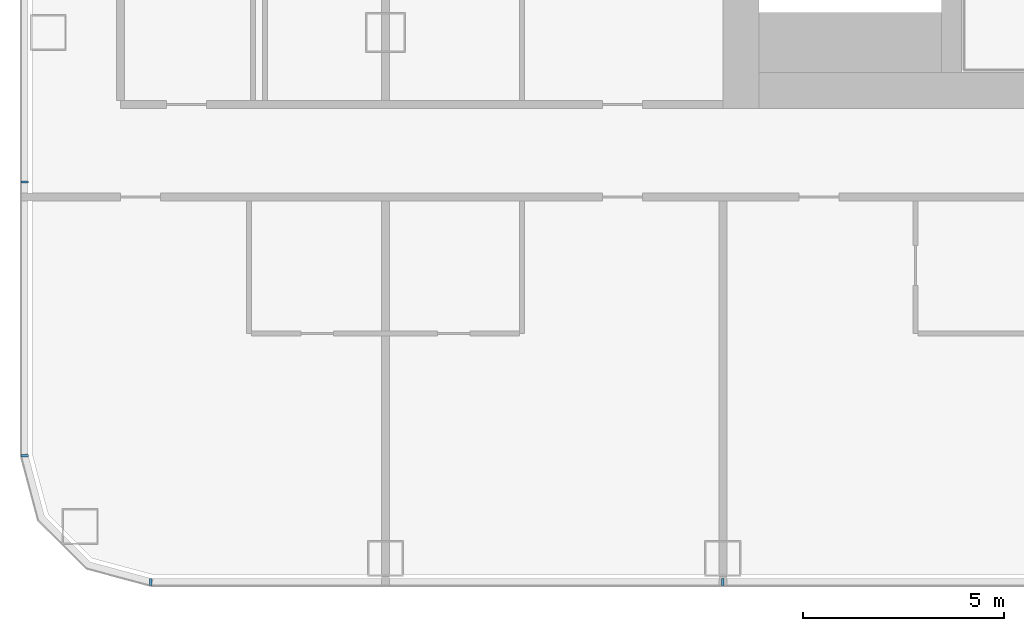
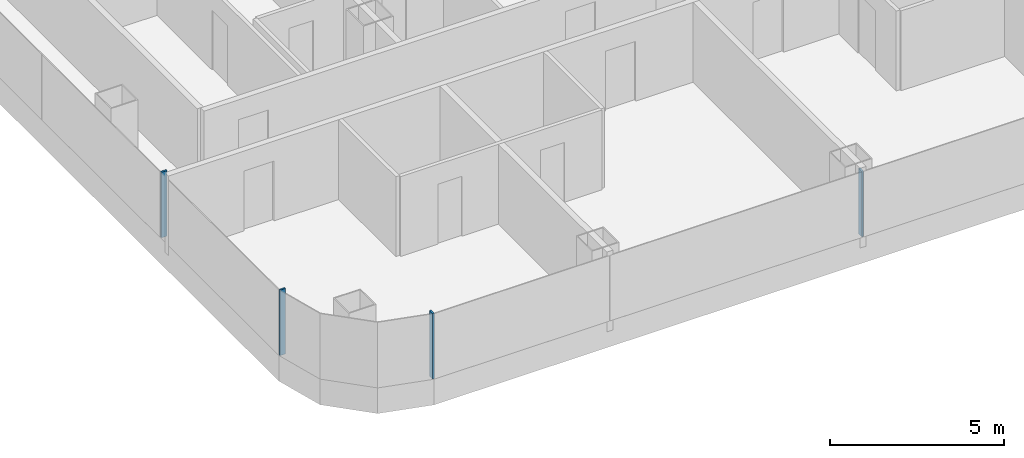
# One storey, part 2 of 28: 4 members, 2 elements without a shape of their own.
"""IFC4 building model written with IfcOpenShell, lengths in metres."""

from ifc_helpers import new_model, si_unit, direction, frame, origin, origin_2d, place, context, subcontext, project, spatial, rectangle, extrude, material, layer, layer_set, material_profile, profile_set, type_object, element, aggregate, save


model = new_model("IFC4")

# Units and contexts
model_context = context("Model", 3, precision=1e-05, world=origin(), true_north=direction((0.0, 1.0)))
body_context = subcontext(model_context, "Body", "Model", "MODEL_VIEW")
ifc_project = project(units=[si_unit("LENGTHUNIT", "METRE"), si_unit("AREAUNIT", "SQUARE_METRE"), si_unit("VOLUMEUNIT", "CUBIC_METRE"), si_unit("PLANEANGLEUNIT", "RADIAN"), si_unit("MASSUNIT", "GRAM", prefix="KILO")], contexts=[model_context])

# Site, building, storey
site_placement = place(None, origin())
site = spatial("IfcSite", under=ifc_project, at=site_placement, CompositionType="ELEMENT")
building_placement = place(site_placement, origin())
building = spatial("IfcBuilding", under=site, at=building_placement, Name="Hakoniwa Tower and Hamabe Station Hall", CompositionType="ELEMENT")
storey_placement = place(building_placement, frame((0.0, 0.0, 35.800048828125)))
storey = spatial("IfcBuildingStorey", under=building, at=storey_placement, Name="L09", CompositionType="ELEMENT", Elevation=35.800048828125)

# Curtain wall, members
ifc_material_1 = material(Name="Dark low-e laminated glass", Category="glass")
ifc_layer = layer(ifc_material_1, 0.199951171875)
ifc_layer_set = layer_set([ifc_layer], Name="CW-1 UNITISED GUEST")
curtain_wall_type = type_object("IfcCurtainWallType", Name="CW-1 UNITISED GUEST", PredefinedType="NOTDEFINED", material=ifc_layer_set)
curtain_wall_1_placement = place(storey_placement, origin())
curtain_wall_1 = element("IfcCurtainWall", 1, at=curtain_wall_1_placement, inside=storey, type_object=curtain_wall_type, Name="CW-1 curtain wall", PredefinedType="NOTDEFINED")
ifc_material_2 = material(Name="Aluminium 6063-T5 black anodised", Category="aluminium")
ifc_material_profile = material_profile(ifc_material_2, rectangle(XDim=0.06005859375, YDim=0.179931640625, at=origin_2d()), Name="CW-1 MULLION 60X180")
ifc_profile_set = profile_set([ifc_material_profile], Name="Aluminium 6063-T5 black anodised")
member_type = type_object("IfcMemberType", Name="CW-1 MULLION 60X180", PredefinedType="MULLION", material=ifc_profile_set)
member_1_placement = place(storey_placement, frame((-50.98193359375, -10.2236328125, 0.349853515625), z_axis=(0.0, 0.0, 1.0), x_axis=(0.0, -1.0, 0.0)))
member_1 = element("IfcMember", 2, at=member_1_placement, type_object=member_type, Name="CW-1 mullion", PredefinedType="MULLION", context=body_context, shape_type="SweptSolid", body=[
    extrude(rectangle(XDim=0.06005859375, YDim=0.179931640625, at=origin_2d()), origin(), (0.0, 0.0, 1.0), 2.300048828125),
])
member_2_placement = place(storey_placement, frame((-50.98193359375, -17.03955078125, 0.349853515625), z_axis=(0.0, 0.0, 1.0), x_axis=(0.0, -1.0, 0.0)))
member_2 = element("IfcMember", 3, at=member_2_placement, type_object=member_type, Name="CW-1 mullion", PredefinedType="MULLION", context=body_context, shape_type="SweptSolid", body=[
    extrude(rectangle(XDim=0.06005859375, YDim=0.179931640625, at=origin_2d()), origin(), (0.0, 0.0, 1.0), 2.300048828125),
])
aggregate(curtain_wall_1, [member_1, member_2])

curtain_wall_2_placement = place(storey_placement, origin())
curtain_wall_2 = element("IfcCurtainWall", 4, at=curtain_wall_2_placement, inside=storey, type_object=curtain_wall_type, Name="CW-1 curtain wall", PredefinedType="NOTDEFINED")
member_3_placement = place(storey_placement, frame((-47.839599609375, -20.181884765625, 0.349853515625), z_axis=(0.0, 0.0, 1.0), x_axis=(1.0, 0.0, 0.0)))
member_3 = element("IfcMember", 5, at=member_3_placement, type_object=member_type, Name="CW-1 mullion", PredefinedType="MULLION", context=body_context, shape_type="SweptSolid", body=[
    extrude(rectangle(XDim=0.06005859375, YDim=0.179931640625, at=origin_2d()), origin(), (0.0, 0.0, 1.0), 2.300048828125),
])
member_4_placement = place(storey_placement, frame((-33.60009765625, -20.181884765625, 0.349853515625), z_axis=(0.0, 0.0, 1.0), x_axis=(1.0, 0.0, 0.0)))
member_4 = element("IfcMember", 6, at=member_4_placement, type_object=member_type, Name="CW-1 mullion", PredefinedType="MULLION", context=body_context, shape_type="SweptSolid", body=[
    extrude(rectangle(XDim=0.06005859375, YDim=0.179931640625, at=origin_2d()), origin(), (0.0, 0.0, 1.0), 2.300048828125),
])
aggregate(curtain_wall_2, [member_3, member_4])

save(model, "model.ifc")
